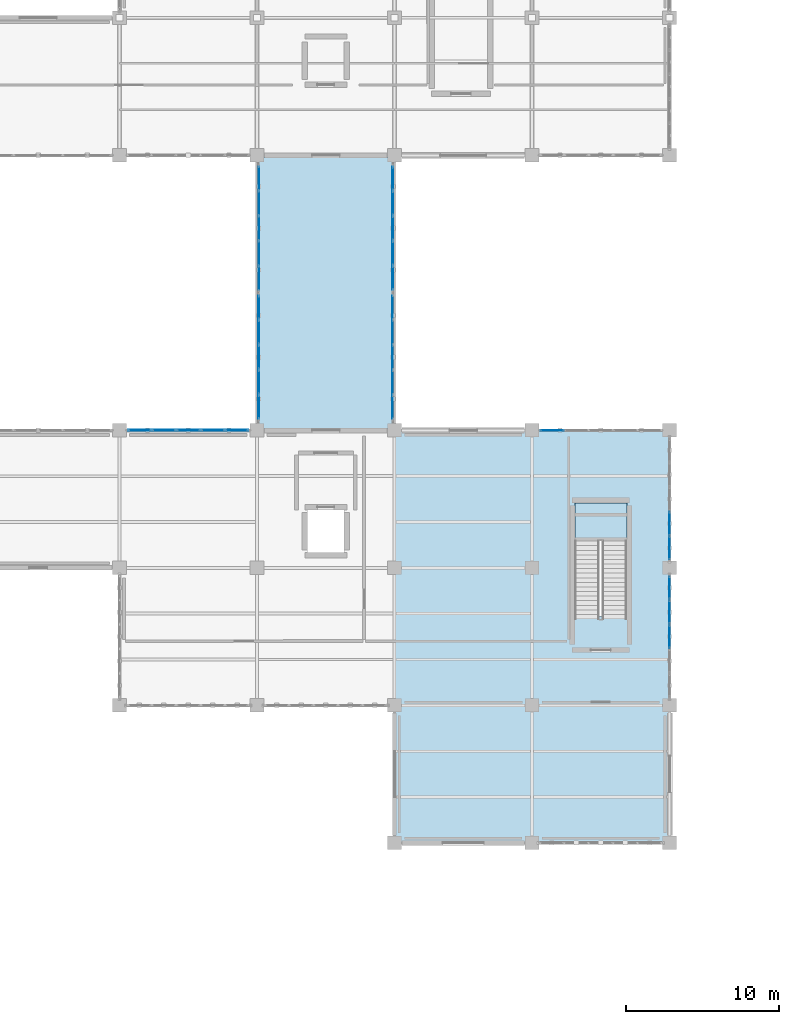
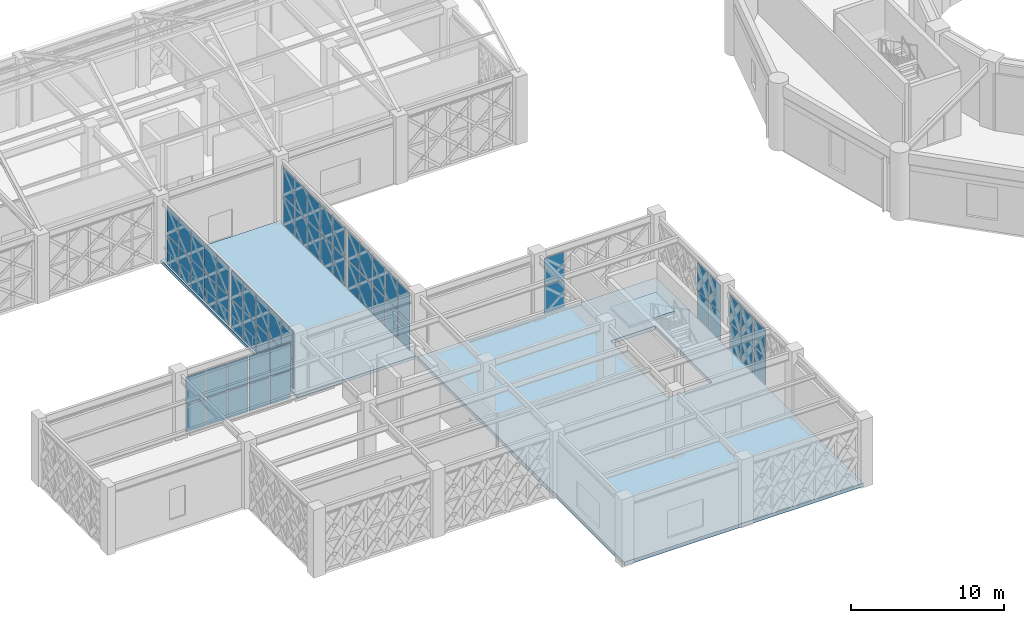
# One storey, part 125 of 166: 62 plates, 3 slabs, 9 elements without a shape of their own.
"""IFC4 building model written with IfcOpenShell, lengths in metres."""

import ifcopenshell
import ifcopenshell.guid

model = None  # the IFC model being written
_history = None  # IfcOwnerHistory: only IFC2X3 demands one
_inside = {}  # id of a spatial element -> (the spatial element, [elements in it])
_under = {}  # id of a project, library or spatial element -> (it, [spatial elements below it])
_declared = {}  # id of a project -> (the project, [libraries it declares])
_typed = {}  # id of a type object -> (the type object, [elements of that type])
_made_of = {}  # id of a material, layer set ... -> (it, [elements and type objects made of it])


def new_model(schema):
    """Start an empty IFC model of exactly this schema.

    Asked for "IFC4X3", IfcOpenShell would pick the latest addendum, in which some entities
    have other attributes; the version numbers below select the first issue.
    IFC2X3 requires an IfcOwnerHistory on every rooted entity: one is made here for all.
    """
    global model, _history
    if schema == "IFC4X3":
        model = ifcopenshell.file(schema_version=(4, 3, 0, 0))
    else:
        model = ifcopenshell.file(schema=schema)
    _inside.clear()
    _under.clear()
    _declared.clear()
    _typed.clear()
    _made_of.clear()
    _history = None
    if model.schema == "IFC2X3":
        org = make("IfcOrganization", Name="unknown")
        user = make(
            "IfcPersonAndOrganization",
            ThePerson=make("IfcPerson", FamilyName="unknown"),
            TheOrganization=org,
        )
        app = make(
            "IfcApplication",
            ApplicationDeveloper=org,
            Version="unknown",
            ApplicationFullName="unknown",
            ApplicationIdentifier="unknown",
        )
        _history = make(
            "IfcOwnerHistory",
            OwningUser=user,
            OwningApplication=app,
            ChangeAction="ADDED",
            CreationDate=0,
        )
    return model


def make(cls, **values):
    """One entity of the class cls with the attributes given. An attribute that is None is left unset."""
    return model.create_entity(
        cls, **{name: value for name, value in values.items() if value is not None}
    )


def rooted(cls, **values):
    """An entity with a GlobalId (a new one), such as an element, a storey or a relation."""
    return make(cls, GlobalId=ifcopenshell.guid.new(), OwnerHistory=_history, **values)


def si_unit(unit_type, name, prefix=None):
    """IfcSIUnit, for example si_unit("LENGTHUNIT", "METRE", prefix="MILLI")."""
    return make("IfcSIUnit", UnitType=unit_type, Prefix=prefix, Name=name)


def assignment(units):
    """IfcUnitAssignment: the units of a project."""
    return None if units is None else make("IfcUnitAssignment", Units=units)


def point(xyz):
    """IfcCartesianPoint."""
    return None if xyz is None else make("IfcCartesianPoint", Coordinates=xyz)


def direction(xyz):
    """IfcDirection."""
    return None if xyz is None else make("IfcDirection", DirectionRatios=xyz)


def frame(location, z_axis=None, x_axis=None):
    """IfcAxis2Placement3D, a coordinate frame: its origin and axes. An axis left out is left unset."""
    return make(
        "IfcAxis2Placement3D",
        Location=point(location),
        Axis=direction(z_axis),
        RefDirection=direction(x_axis),
    )


def frame_2d(location, x_axis=None):
    """IfcAxis2Placement2D, a coordinate frame in the plane: its origin and x axis."""
    return make(
        "IfcAxis2Placement2D", Location=point(location), RefDirection=direction(x_axis)
    )


def origin():
    """The frame at (0, 0, 0) with its axes left unset."""
    return frame((0.0, 0.0, 0.0))


def origin_2d():
    """The frame at (0, 0) in the plane with its x axis left unset."""
    return frame_2d((0.0, 0.0))


def place(relative_to, where):
    """IfcLocalPlacement: puts the frame where relative to a parent placement (None: the world)."""
    return make(
        "IfcLocalPlacement", PlacementRelTo=relative_to, RelativePlacement=where
    )


def context(
    kind, dimensions, precision=None, world=None, true_north=None, identifier=None
):
    """IfcGeometricRepresentationContext, for example the 3D "Model" context."""
    return make(
        "IfcGeometricRepresentationContext",
        ContextIdentifier=identifier,
        ContextType=kind,
        CoordinateSpaceDimension=dimensions,
        Precision=precision,
        WorldCoordinateSystem=world,
        TrueNorth=true_north,
    )


def subcontext(parent, identifier, kind, view, scale=None):
    """IfcGeometricRepresentationSubContext, for example "Body" below "Model"."""
    return make(
        "IfcGeometricRepresentationSubContext",
        ContextIdentifier=identifier,
        ContextType=kind,
        ParentContext=parent,
        TargetScale=scale,
        TargetView=view,
    )


def project(units=None, contexts=None):
    """IfcProject with its units and contexts."""
    return rooted(
        "IfcProject",
        Name="project",
        RepresentationContexts=contexts,
        UnitsInContext=assignment(units),
    )


def spatial(cls, under=None, at=None, **own):
    """A site, building, storey or space (cls), placed at a placement, below another one or the project."""
    s = rooted(cls, ObjectPlacement=at, **own)
    if under is not None:
        _under.setdefault(under.id(), (under, []))[1].append(s)
    return s


def polyline(points):
    """IfcPolyline through the points."""
    return make("IfcPolyline", Points=[point(p) for p in points])


def profile(cls, at=None, kind="AREA", **sizes):
    """A parametric profile (cls). Its sizes go by their IFC names, for example OverallWidth=200.0."""
    return make(cls, ProfileType=kind, Position=at, **sizes)


def rectangle(**sizes):
    """IfcRectangleProfileDef."""
    return profile("IfcRectangleProfileDef", **sizes)


def outline(outer, holes=None, kind="AREA"):
    """IfcArbitraryClosedProfileDef: a profile drawn as a closed curve; with holes, ...WithVoids."""
    if holes is None:
        return make("IfcArbitraryClosedProfileDef", ProfileType=kind, OuterCurve=outer)
    return make(
        "IfcArbitraryProfileDefWithVoids",
        ProfileType=kind,
        OuterCurve=outer,
        InnerCurves=holes,
    )


def extrude(swept, where, along, depth):
    """IfcExtrudedAreaSolid: the profile swept, set in the frame where, extruded along a direction by depth."""
    return make(
        "IfcExtrudedAreaSolid",
        SweptArea=swept,
        Position=where,
        ExtrudedDirection=direction(along),
        Depth=depth,
    )


def shape(context_of_items, identifier, shape_type, items):
    """IfcShapeRepresentation: the items that make up one representation, for example the "Body"."""
    return make(
        "IfcShapeRepresentation",
        ContextOfItems=context_of_items,
        RepresentationIdentifier=identifier,
        RepresentationType=shape_type,
        Items=items,
    )


def material(Name=None, Category=None):
    """IfcMaterial."""
    return make("IfcMaterial", Name=Name, Category=Category)


def layer(
    of_material, thickness, ventilated=None, Name=None, Category=None, Priority=None
):
    """IfcMaterialLayer: one layer of a wall or slab, of a material (None: an air gap)."""
    return make(
        "IfcMaterialLayer",
        Material=of_material,
        LayerThickness=thickness,
        IsVentilated=ventilated,
        Name=Name,
        Category=Category,
        Priority=Priority,
    )


def layer_set(layers, Name=None):
    """IfcMaterialLayerSet."""
    return make("IfcMaterialLayerSet", MaterialLayers=layers, LayerSetName=Name)


def made_of(thing, what):
    """Note that an element or type object is made of a material, layer set ...; save() writes the relation."""
    if what is not None:
        _made_of.setdefault(what.id(), (what, []))[1].append(thing)
    return thing


def type_object(cls, material=None, **own):
    """A type object (cls), such as IfcWallType, which elements share."""
    return made_of(rooted(cls, **own), material)


def element(
    cls,
    number,
    at=None,
    inside=None,
    cuts=None,
    type_object=None,
    material=None,
    context=None,
    identifier="Body",
    shape_type=None,
    held_by="IfcProductDefinitionShape",
    body=None,
    shapes=None,
    **own,
):
    """One element of the class cls, such as IfcWall. Its Tag is "e" and its number.

    at: its placement. inside: the storey or other place that contains it. cuts: it is an
    opening in that element (IfcRelVoidsElement). A single representation is given by context,
    identifier, shape_type and body (its items); several are given by shapes. held_by: the class
    of the entity that holds the representations. save() writes the other relations.
    """
    e = rooted(cls, Tag="e%d" % number, ObjectPlacement=at, **own)
    if body is not None:
        shapes = [shape(context, identifier, shape_type, body)]
    if shapes is not None:
        e.Representation = make(held_by, Representations=shapes)
    if inside is not None:
        _inside.setdefault(inside.id(), (inside, []))[1].append(e)
    if cuts is not None:
        rooted(
            "IfcRelVoidsElement", RelatingBuildingElement=cuts, RelatedOpeningElement=e
        )
    if type_object is not None:
        _typed.setdefault(type_object.id(), (type_object, []))[1].append(e)
    return made_of(e, material)


def aggregate(whole, parts):
    """IfcRelAggregates: a whole, such as a stair, and the parts it consists of."""
    return rooted("IfcRelAggregates", RelatingObject=whole, RelatedObjects=parts)


def save(model, path):
    """Write the relations noted so far, then the file.

    IfcRelAggregates (storeys below a building ...), IfcRelContainedInSpatialStructure (elements
    in a storey), IfcRelDefinesByType, IfcRelAssociatesMaterial and IfcRelDeclares: one each for
    every whole, place, type object, material and project.
    """
    for whole, parts in _under.values():
        aggregate(whole, parts)
    for where, things in _inside.values():
        rooted(
            "IfcRelContainedInSpatialStructure",
            RelatedElements=things,
            RelatingStructure=where,
        )
    for kind, things in _typed.values():
        rooted("IfcRelDefinesByType", RelatedObjects=things, RelatingType=kind)
    for what, things in _made_of.values():
        rooted("IfcRelAssociatesMaterial", RelatedObjects=things, RelatingMaterial=what)
    for by, libraries in _declared.values():
        rooted("IfcRelDeclares", RelatingContext=by, RelatedDefinitions=libraries)
    model.write(path)


model = new_model("IFC4")

# Units and contexts
model_context = context("Model", 3, precision=1e-05, world=origin(), true_north=direction((0.0, 1.0)))
body_context = subcontext(model_context, "Body", "Model", "MODEL_VIEW")
ifc_project = project(units=[si_unit("LENGTHUNIT", "METRE"), si_unit("AREAUNIT", "SQUARE_METRE"), si_unit("VOLUMEUNIT", "CUBIC_METRE"), si_unit("PLANEANGLEUNIT", "RADIAN"), si_unit("MASSUNIT", "GRAM", prefix="KILO")], contexts=[model_context])

# Site, building, storey
site_placement = place(None, origin())
site = spatial("IfcSite", under=ifc_project, at=site_placement, CompositionType="ELEMENT")
building_placement = place(site_placement, origin())
building = spatial("IfcBuilding", under=site, at=building_placement, Name="Haizhuo Lancet Aquarium", CompositionType="ELEMENT")
storey_placement = place(building_placement, frame((0.0, 0.0, 5.39990234375)))
storey = spatial("IfcBuildingStorey", under=building, at=storey_placement, Name="L01", CompositionType="ELEMENT", Elevation=5.39990234375)

# Curtain wall, plates
ifc_material_1 = material(Name="Aluminium 6063-T6", Category="aluminium")
curtain_wall_type_1 = type_object("IfcCurtainWallType", Name="CWO-8010x4540", PredefinedType="NOTDEFINED", material=ifc_material_1)
curtain_wall_1_placement = place(storey_placement, origin())
curtain_wall_1 = element("IfcCurtainWall", 1, at=curtain_wall_1_placement, inside=storey, type_object=curtain_wall_type_1, Name="L01 curtain wall CW-V6-L01-205", PredefinedType="NOTDEFINED")
ifc_material_2 = material(Name="Laminated Low-E Glass", Category="glass")
ifc_layer_1 = layer(ifc_material_2, 0.028076171875)
ifc_layer_set_1 = layer_set([ifc_layer_1], Name="Laminated Low-E Glass")
plate_type_1 = type_object("IfcPlateType", Name="CW-PNL-1", PredefinedType="CURTAIN_PANEL", material=ifc_layer_set_1)
plate_1_placement = place(storey_placement, frame((-43.68798828125, -9.0, 0.064453125), z_axis=(0.0, 0.0, 1.0), x_axis=(1.0, 0.0, 0.0)))
plate_1 = element("IfcPlate", 2, at=plate_1_placement, type_object=plate_type_1, Name="CWO-80x45 panel 1.1", PredefinedType="CURTAIN_PANEL", context=body_context, shape_type="SweptSolid", body=[
    extrude(rectangle(XDim=1.5048828125, YDim=0.028076171875, at=origin_2d()), origin(), (0.0, 0.0, 1.0), 2.173095703125),
])
plate_2_placement = place(storey_placement, frame((-43.68798828125, -9.0, 2.30322265625), z_axis=(0.0, 0.0, 1.0), x_axis=(1.0, 0.0, 0.0)))
plate_2 = element("IfcPlate", 3, at=plate_2_placement, type_object=plate_type_1, Name="CWO-80x45 panel 1.2", PredefinedType="CURTAIN_PANEL", context=body_context, shape_type="SweptSolid", body=[
    extrude(rectangle(XDim=1.5048828125, YDim=0.028076171875, at=origin_2d()), origin(), (0.0, 0.0, 1.0), 2.172119140625),
])
aggregate(curtain_wall_1, [plate_1, plate_2])

curtain_wall_type_2 = type_object("IfcCurtainWallType", Name="CWO-8200x4750", PredefinedType="NOTDEFINED", material=ifc_material_1)
curtain_wall_2_placement = place(storey_placement, origin())
curtain_wall_2 = element("IfcCurtainWall", 4, at=curtain_wall_2_placement, inside=storey, type_object=curtain_wall_type_2, Name="L01 curtain wall CW-SB-01-W2", PredefinedType="NOTDEFINED")
plate_3_placement = place(storey_placement, frame((-62.8798828125, 0.9560546875, 0.06494140625), z_axis=(0.0, 0.0, 1.0), x_axis=(0.0, 1.0, 0.0)))
plate_3 = element("IfcPlate", 5, at=plate_3_placement, type_object=plate_type_1, Name="CWO-82x47 panel 1.1", PredefinedType="CURTAIN_PANEL", context=body_context, shape_type="SweptSolid", body=[
    extrude(rectangle(XDim=1.54296875, YDim=0.028076171875, at=origin_2d()), origin(), (0.0, 0.0, 1.0), 2.278076171875),
])
plate_4_placement = place(storey_placement, frame((-62.8798828125, 0.9560546875, 2.40771484375), z_axis=(0.0, 0.0, 1.0), x_axis=(0.0, 1.0, 0.0)))
plate_4 = element("IfcPlate", 6, at=plate_4_placement, type_object=plate_type_1, Name="CWO-82x47 panel 1.2", PredefinedType="CURTAIN_PANEL", context=body_context, shape_type="SweptSolid", body=[
    extrude(rectangle(XDim=1.54296875, YDim=0.028076171875, at=origin_2d()), origin(), (0.0, 0.0, 1.0), 2.277099609375),
])
plate_5_placement = place(storey_placement, frame((-62.8798828125, 2.580078125, 0.06494140625), z_axis=(0.0, 0.0, 1.0), x_axis=(0.0, 1.0, 0.0)))
plate_5 = element("IfcPlate", 7, at=plate_5_placement, type_object=plate_type_1, Name="CWO-82x47 panel 2.1", PredefinedType="CURTAIN_PANEL", context=body_context, shape_type="SweptSolid", body=[
    extrude(rectangle(XDim=1.574951171875, YDim=0.028076171875, at=origin_2d()), origin(), (0.0, 0.0, 1.0), 2.278076171875),
])
plate_6_placement = place(storey_placement, frame((-62.8798828125, 2.580078125, 2.40771484375), z_axis=(0.0, 0.0, 1.0), x_axis=(0.0, 1.0, 0.0)))
plate_6 = element("IfcPlate", 8, at=plate_6_placement, type_object=plate_type_1, Name="CWO-82x47 panel 2.2", PredefinedType="CURTAIN_PANEL", context=body_context, shape_type="SweptSolid", body=[
    extrude(rectangle(XDim=1.574951171875, YDim=0.028076171875, at=origin_2d()), origin(), (0.0, 0.0, 1.0), 2.277099609375),
])
plate_7_placement = place(storey_placement, frame((-62.8798828125, 4.219970703125, 0.06494140625), z_axis=(0.0, 0.0, 1.0), x_axis=(0.0, 1.0, 0.0)))
plate_7 = element("IfcPlate", 9, at=plate_7_placement, type_object=plate_type_1, Name="CWO-82x47 panel 3.1", PredefinedType="CURTAIN_PANEL", context=body_context, shape_type="SweptSolid", body=[
    extrude(rectangle(XDim=1.574951171875, YDim=0.028076171875, at=origin_2d()), origin(), (0.0, 0.0, 1.0), 2.278076171875),
])
plate_8_placement = place(storey_placement, frame((-62.8798828125, 4.219970703125, 2.40771484375), z_axis=(0.0, 0.0, 1.0), x_axis=(0.0, 1.0, 0.0)))
plate_8 = element("IfcPlate", 10, at=plate_8_placement, type_object=plate_type_1, Name="CWO-82x47 panel 3.2", PredefinedType="CURTAIN_PANEL", context=body_context, shape_type="SweptSolid", body=[
    extrude(rectangle(XDim=1.574951171875, YDim=0.028076171875, at=origin_2d()), origin(), (0.0, 0.0, 1.0), 2.277099609375),
])
plate_9_placement = place(storey_placement, frame((-62.8798828125, 5.860107421875, 0.06494140625), z_axis=(0.0, 0.0, 1.0), x_axis=(0.0, 1.0, 0.0)))
plate_9 = element("IfcPlate", 11, at=plate_9_placement, type_object=plate_type_1, Name="CWO-82x47 panel 4.1", PredefinedType="CURTAIN_PANEL", context=body_context, shape_type="SweptSolid", body=[
    extrude(rectangle(XDim=1.574951171875, YDim=0.028076171875, at=origin_2d()), origin(), (0.0, 0.0, 1.0), 2.278076171875),
])
plate_10_placement = place(storey_placement, frame((-62.8798828125, 5.860107421875, 2.40771484375), z_axis=(0.0, 0.0, 1.0), x_axis=(0.0, 1.0, 0.0)))
plate_10 = element("IfcPlate", 12, at=plate_10_placement, type_object=plate_type_1, Name="CWO-82x47 panel 4.2", PredefinedType="CURTAIN_PANEL", context=body_context, shape_type="SweptSolid", body=[
    extrude(rectangle(XDim=1.574951171875, YDim=0.028076171875, at=origin_2d()), origin(), (0.0, 0.0, 1.0), 2.277099609375),
])
plate_11_placement = place(storey_placement, frame((-62.8798828125, 7.48388671875, 0.06494140625), z_axis=(0.0, 0.0, 1.0), x_axis=(0.0, 1.0, 0.0)))
plate_11 = element("IfcPlate", 13, at=plate_11_placement, type_object=plate_type_1, Name="CWO-82x47 panel 5.1", PredefinedType="CURTAIN_PANEL", context=body_context, shape_type="SweptSolid", body=[
    extrude(rectangle(XDim=1.5419921875, YDim=0.028076171875, at=origin_2d()), origin(), (0.0, 0.0, 1.0), 2.278076171875),
])
plate_12_placement = place(storey_placement, frame((-62.8798828125, 7.48388671875, 2.40771484375), z_axis=(0.0, 0.0, 1.0), x_axis=(0.0, 1.0, 0.0)))
plate_12 = element("IfcPlate", 14, at=plate_12_placement, type_object=plate_type_1, Name="CWO-82x47 panel 5.2", PredefinedType="CURTAIN_PANEL", context=body_context, shape_type="SweptSolid", body=[
    extrude(rectangle(XDim=1.5419921875, YDim=0.028076171875, at=origin_2d()), origin(), (0.0, 0.0, 1.0), 2.277099609375),
])
aggregate(curtain_wall_2, [plate_3, plate_4, plate_5, plate_6, plate_7, plate_8, plate_9, plate_10, plate_11, plate_12])

curtain_wall_type_3 = type_object("IfcCurtainWallType", Name="CWD-8010x4540", PredefinedType="NOTDEFINED", material=ifc_material_1)
curtain_wall_3_placement = place(storey_placement, origin())
curtain_wall_3 = element("IfcCurtainWall", 15, at=curtain_wall_3_placement, inside=storey, type_object=curtain_wall_type_3, Name="L01 curtain wall CW-V6-L01-206", PredefinedType="NOTDEFINED")
ifc_layer_2 = layer(ifc_material_2, 0.033935546875)
ifc_layer_set_2 = layer_set([ifc_layer_2], Name="Laminated Low-E Glass")
plate_type_2 = type_object("IfcPlateType", Name="CW-PNL-2", PredefinedType="CURTAIN_PANEL", material=ifc_layer_set_2)
plate_13_placement = place(storey_placement, frame((-36.0, -15.10205078125, 0.0751953125), z_axis=(0.0, 0.0, 1.0), x_axis=(0.0, -1.0, 0.0)))
plate_13 = element("IfcPlate", 16, at=plate_13_placement, type_object=plate_type_2, Name="CWD-80x45 panel 4.1", PredefinedType="CURTAIN_PANEL", context=body_context, shape_type="SweptSolid", body=[
    extrude(rectangle(XDim=1.527099609375, YDim=0.033935546875, at=origin_2d()), origin(), (0.0, 0.0, 1.0), 2.157958984375),
])
plate_14_placement = place(storey_placement, frame((-36.0, -15.10205078125, 2.30712890625), z_axis=(0.0, 0.0, 1.0), x_axis=(0.0, -1.0, 0.0)))
plate_14 = element("IfcPlate", 17, at=plate_14_placement, type_object=plate_type_2, Name="CWD-80x45 panel 4.2", PredefinedType="CURTAIN_PANEL", context=body_context, shape_type="SweptSolid", body=[
    extrude(rectangle(XDim=1.527099609375, YDim=0.033935546875, at=origin_2d()), origin(), (0.0, 0.0, 1.0), 2.157958984375),
])
plate_15_placement = place(storey_placement, frame((-36.0, -16.68505859375, 0.0751953125), z_axis=(0.0, 0.0, 1.0), x_axis=(0.0, -1.0, 0.0)))
plate_15 = element("IfcPlate", 18, at=plate_15_placement, type_object=plate_type_2, Name="CWD-80x45 panel 5.1", PredefinedType="CURTAIN_PANEL", context=body_context, shape_type="SweptSolid", body=[
    extrude(rectangle(XDim=1.489990234375, YDim=0.033935546875, at=origin_2d()), origin(), (0.0, 0.0, 1.0), 2.157958984375),
])
plate_16_placement = place(storey_placement, frame((-36.0, -16.68505859375, 2.30712890625), z_axis=(0.0, 0.0, 1.0), x_axis=(0.0, -1.0, 0.0)))
plate_16 = element("IfcPlate", 19, at=plate_16_placement, type_object=plate_type_2, Name="CWD-80x45 panel 5.2", PredefinedType="CURTAIN_PANEL", context=body_context, shape_type="SweptSolid", body=[
    extrude(rectangle(XDim=1.489990234375, YDim=0.033935546875, at=origin_2d()), origin(), (0.0, 0.0, 1.0), 2.157958984375),
])
aggregate(curtain_wall_3, [plate_13, plate_14, plate_15, plate_16])

curtain_wall_4_placement = place(storey_placement, origin())
curtain_wall_4 = element("IfcCurtainWall", 20, at=curtain_wall_4_placement, inside=storey, type_object=curtain_wall_type_2, Name="L01 curtain wall CW-SB-01-E1", PredefinedType="NOTDEFINED")
plate_17_placement = place(storey_placement, frame((-54.1201171875, -0.958984375, 0.07470703125), z_axis=(0.0, 0.0, 1.0), x_axis=(0.0, -1.0, 0.0)))
plate_17 = element("IfcPlate", 21, at=plate_17_placement, type_object=plate_type_2, Name="CWO-82x47 panel 1.1", PredefinedType="CURTAIN_PANEL", context=body_context, shape_type="SweptSolid", body=[
    extrude(rectangle(XDim=1.528076171875, YDim=0.033935546875, at=origin_2d()), origin(), (0.0, 0.0, 1.0), 2.262939453125),
])
plate_18_placement = place(storey_placement, frame((-54.1201171875, -0.958984375, 2.41259765625), z_axis=(0.0, 0.0, 1.0), x_axis=(0.0, -1.0, 0.0)))
plate_18 = element("IfcPlate", 22, at=plate_18_placement, type_object=plate_type_2, Name="CWO-82x47 panel 1.2", PredefinedType="CURTAIN_PANEL", context=body_context, shape_type="SweptSolid", body=[
    extrude(rectangle(XDim=1.528076171875, YDim=0.033935546875, at=origin_2d()), origin(), (0.0, 0.0, 1.0), 2.262939453125),
])
plate_19_placement = place(storey_placement, frame((-54.1201171875, -2.580078125, 0.07470703125), z_axis=(0.0, 0.0, 1.0), x_axis=(0.0, -1.0, 0.0)))
plate_19 = element("IfcPlate", 23, at=plate_19_placement, type_object=plate_type_2, Name="CWO-82x47 panel 2.1", PredefinedType="CURTAIN_PANEL", context=body_context, shape_type="SweptSolid", body=[
    extrude(rectangle(XDim=1.56494140625, YDim=0.033935546875, at=origin_2d()), origin(), (0.0, 0.0, 1.0), 2.262939453125),
])
plate_20_placement = place(storey_placement, frame((-54.1201171875, -2.580078125, 2.41259765625), z_axis=(0.0, 0.0, 1.0), x_axis=(0.0, -1.0, 0.0)))
plate_20 = element("IfcPlate", 24, at=plate_20_placement, type_object=plate_type_2, Name="CWO-82x47 panel 2.2", PredefinedType="CURTAIN_PANEL", context=body_context, shape_type="SweptSolid", body=[
    extrude(rectangle(XDim=1.56494140625, YDim=0.033935546875, at=origin_2d()), origin(), (0.0, 0.0, 1.0), 2.262939453125),
])
plate_21_placement = place(storey_placement, frame((-54.1201171875, -4.219970703125, 0.07470703125), z_axis=(0.0, 0.0, 1.0), x_axis=(0.0, -1.0, 0.0)))
plate_21 = element("IfcPlate", 25, at=plate_21_placement, type_object=plate_type_2, Name="CWO-82x47 panel 3.1", PredefinedType="CURTAIN_PANEL", context=body_context, shape_type="SweptSolid", body=[
    extrude(rectangle(XDim=1.56494140625, YDim=0.033935546875, at=origin_2d()), origin(), (0.0, 0.0, 1.0), 2.262939453125),
])
plate_22_placement = place(storey_placement, frame((-54.1201171875, -4.219970703125, 2.41259765625), z_axis=(0.0, 0.0, 1.0), x_axis=(0.0, -1.0, 0.0)))
plate_22 = element("IfcPlate", 26, at=plate_22_placement, type_object=plate_type_2, Name="CWO-82x47 panel 3.2", PredefinedType="CURTAIN_PANEL", context=body_context, shape_type="SweptSolid", body=[
    extrude(rectangle(XDim=1.56494140625, YDim=0.033935546875, at=origin_2d()), origin(), (0.0, 0.0, 1.0), 2.262939453125),
])
plate_23_placement = place(storey_placement, frame((-54.1201171875, -5.860107421875, 0.07470703125), z_axis=(0.0, 0.0, 1.0), x_axis=(0.0, -1.0, 0.0)))
plate_23 = element("IfcPlate", 27, at=plate_23_placement, type_object=plate_type_2, Name="CWO-82x47 panel 4.1", PredefinedType="CURTAIN_PANEL", context=body_context, shape_type="SweptSolid", body=[
    extrude(rectangle(XDim=1.56494140625, YDim=0.033935546875, at=origin_2d()), origin(), (0.0, 0.0, 1.0), 2.262939453125),
])
plate_24_placement = place(storey_placement, frame((-54.1201171875, -5.860107421875, 2.41259765625), z_axis=(0.0, 0.0, 1.0), x_axis=(0.0, -1.0, 0.0)))
plate_24 = element("IfcPlate", 28, at=plate_24_placement, type_object=plate_type_2, Name="CWO-82x47 panel 4.2", PredefinedType="CURTAIN_PANEL", context=body_context, shape_type="SweptSolid", body=[
    extrude(rectangle(XDim=1.56494140625, YDim=0.033935546875, at=origin_2d()), origin(), (0.0, 0.0, 1.0), 2.262939453125),
])
plate_25_placement = place(storey_placement, frame((-54.1201171875, -7.48095703125, 0.07470703125), z_axis=(0.0, 0.0, 1.0), x_axis=(0.0, -1.0, 0.0)))
plate_25 = element("IfcPlate", 29, at=plate_25_placement, type_object=plate_type_2, Name="CWO-82x47 panel 5.1", PredefinedType="CURTAIN_PANEL", context=body_context, shape_type="SweptSolid", body=[
    extrude(rectangle(XDim=1.528076171875, YDim=0.033935546875, at=origin_2d()), origin(), (0.0, 0.0, 1.0), 2.262939453125),
])
plate_26_placement = place(storey_placement, frame((-54.1201171875, -7.48095703125, 2.41259765625), z_axis=(0.0, 0.0, 1.0), x_axis=(0.0, -1.0, 0.0)))
plate_26 = element("IfcPlate", 30, at=plate_26_placement, type_object=plate_type_2, Name="CWO-82x47 panel 5.2", PredefinedType="CURTAIN_PANEL", context=body_context, shape_type="SweptSolid", body=[
    extrude(rectangle(XDim=1.528076171875, YDim=0.033935546875, at=origin_2d()), origin(), (0.0, 0.0, 1.0), 2.262939453125),
])
aggregate(curtain_wall_4, [plate_17, plate_18, plate_19, plate_20, plate_21, plate_22, plate_23, plate_24, plate_25, plate_26])

curtain_wall_5_placement = place(storey_placement, origin())
curtain_wall_5 = element("IfcCurtainWall", 31, at=curtain_wall_5_placement, inside=storey, type_object=curtain_wall_type_3, Name="L01 curtain wall CW-V6-L01-207", PredefinedType="NOTDEFINED")
ifc_layer_3 = layer(ifc_material_2, 0.0419921875)
ifc_layer_set_3 = layer_set([ifc_layer_3], Name="Laminated Low-E Glass")
plate_type_3 = type_object("IfcPlateType", Name="CW-PNL-3", PredefinedType="CURTAIN_PANEL", material=ifc_layer_set_3)
plate_27_placement = place(storey_placement, frame((-36.0, -19.31591796875, 0.080078125), z_axis=(0.0, 0.0, 1.0), x_axis=(0.0, -1.0, 0.0)))
plate_27 = element("IfcPlate", 32, at=plate_27_placement, type_object=plate_type_3, Name="CWD-80x45 panel 1.1", PredefinedType="CURTAIN_PANEL", context=body_context, shape_type="SweptSolid", body=[
    extrude(rectangle(XDim=1.48193359375, YDim=0.0419921875, at=origin_2d()), origin(), (0.0, 0.0, 1.0), 2.14990234375),
])
plate_28_placement = place(storey_placement, frame((-36.0, -19.31591796875, 2.31005859375), z_axis=(0.0, 0.0, 1.0), x_axis=(0.0, -1.0, 0.0)))
plate_28 = element("IfcPlate", 33, at=plate_28_placement, type_object=plate_type_3, Name="CWD-80x45 panel 1.2", PredefinedType="CURTAIN_PANEL", context=body_context, shape_type="SweptSolid", body=[
    extrude(rectangle(XDim=1.48193359375, YDim=0.0419921875, at=origin_2d()), origin(), (0.0, 0.0, 1.0), 2.14990234375),
])
plate_29_placement = place(storey_placement, frame((-36.0, -20.89794921875, 0.080078125), z_axis=(0.0, 0.0, 1.0), x_axis=(0.0, -1.0, 0.0)))
plate_29 = element("IfcPlate", 34, at=plate_29_placement, type_object=plate_type_3, Name="CWD-80x45 panel 2.1", PredefinedType="CURTAIN_PANEL", context=body_context, shape_type="SweptSolid", body=[
    extrude(rectangle(XDim=1.52197265625, YDim=0.0419921875, at=origin_2d()), origin(), (0.0, 0.0, 1.0), 2.14990234375),
])
plate_30_placement = place(storey_placement, frame((-36.0, -20.89794921875, 2.31005859375), z_axis=(0.0, 0.0, 1.0), x_axis=(0.0, -1.0, 0.0)))
plate_30 = element("IfcPlate", 35, at=plate_30_placement, type_object=plate_type_3, Name="CWD-80x45 panel 2.2", PredefinedType="CURTAIN_PANEL", context=body_context, shape_type="SweptSolid", body=[
    extrude(rectangle(XDim=1.52197265625, YDim=0.0419921875, at=origin_2d()), origin(), (0.0, 0.0, 1.0), 2.14990234375),
])
plate_31_placement = place(storey_placement, frame((-36.0, -22.5, 0.080078125), z_axis=(0.0, 0.0, 1.0), x_axis=(0.0, -1.0, 0.0)))
plate_31 = element("IfcPlate", 36, at=plate_31_placement, type_object=plate_type_3, Name="CWD-80x45 panel 3.1", PredefinedType="CURTAIN_PANEL", context=body_context, shape_type="SweptSolid", body=[
    extrude(rectangle(XDim=1.52197265625, YDim=0.0419921875, at=origin_2d()), origin(), (0.0, 0.0, 1.0), 2.14990234375),
])
plate_32_placement = place(storey_placement, frame((-36.0, -22.5, 2.31005859375), z_axis=(0.0, 0.0, 1.0), x_axis=(0.0, -1.0, 0.0)))
plate_32 = element("IfcPlate", 37, at=plate_32_placement, type_object=plate_type_3, Name="CWD-80x45 panel 3.2", PredefinedType="CURTAIN_PANEL", context=body_context, shape_type="SweptSolid", body=[
    extrude(rectangle(XDim=1.52197265625, YDim=0.0419921875, at=origin_2d()), origin(), (0.0, 0.0, 1.0), 2.14990234375),
])
aggregate(curtain_wall_5, [plate_27, plate_28, plate_29, plate_30, plate_31, plate_32])

curtain_wall_6_placement = place(storey_placement, origin())
curtain_wall_6 = element("IfcCurtainWall", 38, at=curtain_wall_6_placement, inside=storey, type_object=curtain_wall_type_2, Name="L01 curtain wall CW-SB-01-E2", PredefinedType="NOTDEFINED")
plate_33_placement = place(storey_placement, frame((-54.1201171875, 7.47998046875, 0.07958984375), z_axis=(0.0, 0.0, 1.0), x_axis=(0.0, -1.0, 0.0)))
plate_33 = element("IfcPlate", 39, at=plate_33_placement, type_object=plate_type_3, Name="CWO-82x47 panel 1.1", PredefinedType="CURTAIN_PANEL", context=body_context, shape_type="SweptSolid", body=[
    extrude(rectangle(XDim=1.52001953125, YDim=0.0419921875, at=origin_2d()), origin(), (0.0, 0.0, 1.0), 2.2548828125),
])
plate_34_placement = place(storey_placement, frame((-54.1201171875, 7.47998046875, 2.415771484375), z_axis=(0.0, 0.0, 1.0), x_axis=(0.0, -1.0, 0.0)))
plate_34 = element("IfcPlate", 40, at=plate_34_placement, type_object=plate_type_3, Name="CWO-82x47 panel 1.2", PredefinedType="CURTAIN_PANEL", context=body_context, shape_type="SweptSolid", body=[
    extrude(rectangle(XDim=1.52001953125, YDim=0.0419921875, at=origin_2d()), origin(), (0.0, 0.0, 1.0), 2.2548828125),
])
plate_35_placement = place(storey_placement, frame((-54.1201171875, 5.860107421875, 0.07958984375), z_axis=(0.0, 0.0, 1.0), x_axis=(0.0, -1.0, 0.0)))
plate_35 = element("IfcPlate", 41, at=plate_35_placement, type_object=plate_type_3, Name="CWO-82x47 panel 2.1", PredefinedType="CURTAIN_PANEL", context=body_context, shape_type="SweptSolid", body=[
    extrude(rectangle(XDim=1.56005859375, YDim=0.0419921875, at=origin_2d()), origin(), (0.0, 0.0, 1.0), 2.2548828125),
])
plate_36_placement = place(storey_placement, frame((-54.1201171875, 5.860107421875, 2.415771484375), z_axis=(0.0, 0.0, 1.0), x_axis=(0.0, -1.0, 0.0)))
plate_36 = element("IfcPlate", 42, at=plate_36_placement, type_object=plate_type_3, Name="CWO-82x47 panel 2.2", PredefinedType="CURTAIN_PANEL", context=body_context, shape_type="SweptSolid", body=[
    extrude(rectangle(XDim=1.56005859375, YDim=0.0419921875, at=origin_2d()), origin(), (0.0, 0.0, 1.0), 2.2548828125),
])
plate_37_placement = place(storey_placement, frame((-54.1201171875, 4.219970703125, 0.07958984375), z_axis=(0.0, 0.0, 1.0), x_axis=(0.0, -1.0, 0.0)))
plate_37 = element("IfcPlate", 43, at=plate_37_placement, type_object=plate_type_3, Name="CWO-82x47 panel 3.1", PredefinedType="CURTAIN_PANEL", context=body_context, shape_type="SweptSolid", body=[
    extrude(rectangle(XDim=1.56005859375, YDim=0.0419921875, at=origin_2d()), origin(), (0.0, 0.0, 1.0), 2.2548828125),
])
plate_38_placement = place(storey_placement, frame((-54.1201171875, 4.219970703125, 2.415771484375), z_axis=(0.0, 0.0, 1.0), x_axis=(0.0, -1.0, 0.0)))
plate_38 = element("IfcPlate", 44, at=plate_38_placement, type_object=plate_type_3, Name="CWO-82x47 panel 3.2", PredefinedType="CURTAIN_PANEL", context=body_context, shape_type="SweptSolid", body=[
    extrude(rectangle(XDim=1.56005859375, YDim=0.0419921875, at=origin_2d()), origin(), (0.0, 0.0, 1.0), 2.2548828125),
])
plate_39_placement = place(storey_placement, frame((-54.1201171875, 2.580078125, 0.07958984375), z_axis=(0.0, 0.0, 1.0), x_axis=(0.0, -1.0, 0.0)))
plate_39 = element("IfcPlate", 45, at=plate_39_placement, type_object=plate_type_3, Name="CWO-82x47 panel 4.1", PredefinedType="CURTAIN_PANEL", context=body_context, shape_type="SweptSolid", body=[
    extrude(rectangle(XDim=1.56005859375, YDim=0.0419921875, at=origin_2d()), origin(), (0.0, 0.0, 1.0), 2.2548828125),
])
plate_40_placement = place(storey_placement, frame((-54.1201171875, 2.580078125, 2.415771484375), z_axis=(0.0, 0.0, 1.0), x_axis=(0.0, -1.0, 0.0)))
plate_40 = element("IfcPlate", 46, at=plate_40_placement, type_object=plate_type_3, Name="CWO-82x47 panel 4.2", PredefinedType="CURTAIN_PANEL", context=body_context, shape_type="SweptSolid", body=[
    extrude(rectangle(XDim=1.56005859375, YDim=0.0419921875, at=origin_2d()), origin(), (0.0, 0.0, 1.0), 2.2548828125),
])
plate_41_placement = place(storey_placement, frame((-54.1201171875, 0.9599609375, 0.07958984375), z_axis=(0.0, 0.0, 1.0), x_axis=(0.0, -1.0, 0.0)))
plate_41 = element("IfcPlate", 47, at=plate_41_placement, type_object=plate_type_3, Name="CWO-82x47 panel 5.1", PredefinedType="CURTAIN_PANEL", context=body_context, shape_type="SweptSolid", body=[
    extrude(rectangle(XDim=1.52001953125, YDim=0.0419921875, at=origin_2d()), origin(), (0.0, 0.0, 1.0), 2.2548828125),
])
plate_42_placement = place(storey_placement, frame((-54.1201171875, 0.9599609375, 2.415771484375), z_axis=(0.0, 0.0, 1.0), x_axis=(0.0, -1.0, 0.0)))
plate_42 = element("IfcPlate", 48, at=plate_42_placement, type_object=plate_type_3, Name="CWO-82x47 panel 5.2", PredefinedType="CURTAIN_PANEL", context=body_context, shape_type="SweptSolid", body=[
    extrude(rectangle(XDim=1.52001953125, YDim=0.0419921875, at=origin_2d()), origin(), (0.0, 0.0, 1.0), 2.2548828125),
])
aggregate(curtain_wall_6, [plate_33, plate_34, plate_35, plate_36, plate_37, plate_38, plate_39, plate_40, plate_41, plate_42])

curtain_wall_7_placement = place(storey_placement, origin())
curtain_wall_7 = element("IfcCurtainWall", 49, at=curtain_wall_7_placement, inside=storey, type_object=curtain_wall_type_1, Name="L01 curtain wall CW-V6-L01-204", PredefinedType="NOTDEFINED")
ifc_layer_4 = layer(ifc_material_2, 0.052001953125)
ifc_layer_set_4 = layer_set([ifc_layer_4], Name="Laminated Low-E Glass")
plate_type_4 = type_object("IfcPlateType", Name="CW-PNL-4", PredefinedType="CURTAIN_PANEL", material=ifc_layer_set_4)
plate_43_placement = place(storey_placement, frame((-70.68408203125, -9.0, 0.080078125), z_axis=(0.0, 0.0, 1.0), x_axis=(1.0, 0.0, 0.0)))
plate_43 = element("IfcPlate", 50, at=plate_43_placement, type_object=plate_type_4, Name="CWO-80x45 panel 1.1", PredefinedType="CURTAIN_PANEL", context=body_context, shape_type="SweptSolid", body=[
    extrude(rectangle(XDim=1.48193359375, YDim=0.052001953125, at=origin_2d()), origin(), (0.0, 0.0, 1.0), 2.14990234375),
])
plate_44_placement = place(storey_placement, frame((-70.68408203125, -9.0, 2.31005859375), z_axis=(0.0, 0.0, 1.0), x_axis=(1.0, 0.0, 0.0)))
plate_44 = element("IfcPlate", 51, at=plate_44_placement, type_object=plate_type_4, Name="CWO-80x45 panel 1.2", PredefinedType="CURTAIN_PANEL", context=body_context, shape_type="SweptSolid", body=[
    extrude(rectangle(XDim=1.48193359375, YDim=0.052001953125, at=origin_2d()), origin(), (0.0, 0.0, 1.0), 2.14990234375),
])
plate_45_placement = place(storey_placement, frame((-69.10205078125, -9.0, 0.080078125), z_axis=(0.0, 0.0, 1.0), x_axis=(1.0, 0.0, 0.0)))
plate_45 = element("IfcPlate", 52, at=plate_45_placement, type_object=plate_type_4, Name="CWO-80x45 panel 2.1", PredefinedType="CURTAIN_PANEL", context=body_context, shape_type="SweptSolid", body=[
    extrude(rectangle(XDim=1.52197265625, YDim=0.052001953125, at=origin_2d()), origin(), (0.0, 0.0, 1.0), 2.14990234375),
])
plate_46_placement = place(storey_placement, frame((-69.10205078125, -9.0, 2.31005859375), z_axis=(0.0, 0.0, 1.0), x_axis=(1.0, 0.0, 0.0)))
plate_46 = element("IfcPlate", 53, at=plate_46_placement, type_object=plate_type_4, Name="CWO-80x45 panel 2.2", PredefinedType="CURTAIN_PANEL", context=body_context, shape_type="SweptSolid", body=[
    extrude(rectangle(XDim=1.52197265625, YDim=0.052001953125, at=origin_2d()), origin(), (0.0, 0.0, 1.0), 2.14990234375),
])
plate_47_placement = place(storey_placement, frame((-67.5, -9.0, 0.080078125), z_axis=(0.0, 0.0, 1.0), x_axis=(1.0, 0.0, 0.0)))
plate_47 = element("IfcPlate", 54, at=plate_47_placement, type_object=plate_type_4, Name="CWO-80x45 panel 3.1", PredefinedType="CURTAIN_PANEL", context=body_context, shape_type="SweptSolid", body=[
    extrude(rectangle(XDim=1.52197265625, YDim=0.052001953125, at=origin_2d()), origin(), (0.0, 0.0, 1.0), 2.14990234375),
])
plate_48_placement = place(storey_placement, frame((-67.5, -9.0, 2.31005859375), z_axis=(0.0, 0.0, 1.0), x_axis=(1.0, 0.0, 0.0)))
plate_48 = element("IfcPlate", 55, at=plate_48_placement, type_object=plate_type_4, Name="CWO-80x45 panel 3.2", PredefinedType="CURTAIN_PANEL", context=body_context, shape_type="SweptSolid", body=[
    extrude(rectangle(XDim=1.52197265625, YDim=0.052001953125, at=origin_2d()), origin(), (0.0, 0.0, 1.0), 2.14990234375),
])
plate_49_placement = place(storey_placement, frame((-65.89794921875, -9.0, 0.080078125), z_axis=(0.0, 0.0, 1.0), x_axis=(1.0, 0.0, 0.0)))
plate_49 = element("IfcPlate", 56, at=plate_49_placement, type_object=plate_type_4, Name="CWO-80x45 panel 4.1", PredefinedType="CURTAIN_PANEL", context=body_context, shape_type="SweptSolid", body=[
    extrude(rectangle(XDim=1.52197265625, YDim=0.052001953125, at=origin_2d()), origin(), (0.0, 0.0, 1.0), 2.14990234375),
])
plate_50_placement = place(storey_placement, frame((-65.89794921875, -9.0, 2.31005859375), z_axis=(0.0, 0.0, 1.0), x_axis=(1.0, 0.0, 0.0)))
plate_50 = element("IfcPlate", 57, at=plate_50_placement, type_object=plate_type_4, Name="CWO-80x45 panel 4.2", PredefinedType="CURTAIN_PANEL", context=body_context, shape_type="SweptSolid", body=[
    extrude(rectangle(XDim=1.52197265625, YDim=0.052001953125, at=origin_2d()), origin(), (0.0, 0.0, 1.0), 2.14990234375),
])
plate_51_placement = place(storey_placement, frame((-64.31591796875, -9.0, 0.080078125), z_axis=(0.0, 0.0, 1.0), x_axis=(1.0, 0.0, 0.0)))
plate_51 = element("IfcPlate", 58, at=plate_51_placement, type_object=plate_type_4, Name="CWO-80x45 panel 5.1", PredefinedType="CURTAIN_PANEL", context=body_context, shape_type="SweptSolid", body=[
    extrude(rectangle(XDim=1.48193359375, YDim=0.052001953125, at=origin_2d()), origin(), (0.0, 0.0, 1.0), 2.14990234375),
])
plate_52_placement = place(storey_placement, frame((-64.31591796875, -9.0, 2.31005859375), z_axis=(0.0, 0.0, 1.0), x_axis=(1.0, 0.0, 0.0)))
plate_52 = element("IfcPlate", 59, at=plate_52_placement, type_object=plate_type_4, Name="CWO-80x45 panel 5.2", PredefinedType="CURTAIN_PANEL", context=body_context, shape_type="SweptSolid", body=[
    extrude(rectangle(XDim=1.48193359375, YDim=0.052001953125, at=origin_2d()), origin(), (0.0, 0.0, 1.0), 2.14990234375),
])
aggregate(curtain_wall_7, [plate_43, plate_44, plate_45, plate_46, plate_47, plate_48, plate_49, plate_50, plate_51, plate_52])

curtain_wall_8_placement = place(storey_placement, origin())
curtain_wall_8 = element("IfcCurtainWall", 60, at=curtain_wall_8_placement, inside=storey, type_object=curtain_wall_type_2, Name="L01 curtain wall CW-SB-01-W1", PredefinedType="NOTDEFINED")
plate_53_placement = place(storey_placement, frame((-62.8798828125, -7.47998046875, 0.07958984375), z_axis=(0.0, 0.0, 1.0), x_axis=(0.0, 1.0, 0.0)))
plate_53 = element("IfcPlate", 61, at=plate_53_placement, type_object=plate_type_4, Name="CWO-82x47 panel 1.1", PredefinedType="CURTAIN_PANEL", context=body_context, shape_type="SweptSolid", body=[
    extrude(rectangle(XDim=1.52001953125, YDim=0.052001953125, at=origin_2d()), origin(), (0.0, 0.0, 1.0), 2.2548828125),
])
plate_54_placement = place(storey_placement, frame((-62.8798828125, -7.47998046875, 2.415771484375), z_axis=(0.0, 0.0, 1.0), x_axis=(0.0, 1.0, 0.0)))
plate_54 = element("IfcPlate", 62, at=plate_54_placement, type_object=plate_type_4, Name="CWO-82x47 panel 1.2", PredefinedType="CURTAIN_PANEL", context=body_context, shape_type="SweptSolid", body=[
    extrude(rectangle(XDim=1.52001953125, YDim=0.052001953125, at=origin_2d()), origin(), (0.0, 0.0, 1.0), 2.2548828125),
])
plate_55_placement = place(storey_placement, frame((-62.8798828125, -5.860107421875, 0.07958984375), z_axis=(0.0, 0.0, 1.0), x_axis=(0.0, 1.0, 0.0)))
plate_55 = element("IfcPlate", 63, at=plate_55_placement, type_object=plate_type_4, Name="CWO-82x47 panel 2.1", PredefinedType="CURTAIN_PANEL", context=body_context, shape_type="SweptSolid", body=[
    extrude(rectangle(XDim=1.56005859375, YDim=0.052001953125, at=origin_2d()), origin(), (0.0, 0.0, 1.0), 2.2548828125),
])
plate_56_placement = place(storey_placement, frame((-62.8798828125, -5.860107421875, 2.415771484375), z_axis=(0.0, 0.0, 1.0), x_axis=(0.0, 1.0, 0.0)))
plate_56 = element("IfcPlate", 64, at=plate_56_placement, type_object=plate_type_4, Name="CWO-82x47 panel 2.2", PredefinedType="CURTAIN_PANEL", context=body_context, shape_type="SweptSolid", body=[
    extrude(rectangle(XDim=1.56005859375, YDim=0.052001953125, at=origin_2d()), origin(), (0.0, 0.0, 1.0), 2.2548828125),
])
plate_57_placement = place(storey_placement, frame((-62.8798828125, -4.219970703125, 0.07958984375), z_axis=(0.0, 0.0, 1.0), x_axis=(0.0, 1.0, 0.0)))
plate_57 = element("IfcPlate", 65, at=plate_57_placement, type_object=plate_type_4, Name="CWO-82x47 panel 3.1", PredefinedType="CURTAIN_PANEL", context=body_context, shape_type="SweptSolid", body=[
    extrude(rectangle(XDim=1.56005859375, YDim=0.052001953125, at=origin_2d()), origin(), (0.0, 0.0, 1.0), 2.2548828125),
])
plate_58_placement = place(storey_placement, frame((-62.8798828125, -4.219970703125, 2.415771484375), z_axis=(0.0, 0.0, 1.0), x_axis=(0.0, 1.0, 0.0)))
plate_58 = element("IfcPlate", 66, at=plate_58_placement, type_object=plate_type_4, Name="CWO-82x47 panel 3.2", PredefinedType="CURTAIN_PANEL", context=body_context, shape_type="SweptSolid", body=[
    extrude(rectangle(XDim=1.56005859375, YDim=0.052001953125, at=origin_2d()), origin(), (0.0, 0.0, 1.0), 2.2548828125),
])
plate_59_placement = place(storey_placement, frame((-62.8798828125, -2.580078125, 0.07958984375), z_axis=(0.0, 0.0, 1.0), x_axis=(0.0, 1.0, 0.0)))
plate_59 = element("IfcPlate", 67, at=plate_59_placement, type_object=plate_type_4, Name="CWO-82x47 panel 4.1", PredefinedType="CURTAIN_PANEL", context=body_context, shape_type="SweptSolid", body=[
    extrude(rectangle(XDim=1.56005859375, YDim=0.052001953125, at=origin_2d()), origin(), (0.0, 0.0, 1.0), 2.2548828125),
])
plate_60_placement = place(storey_placement, frame((-62.8798828125, -2.580078125, 2.415771484375), z_axis=(0.0, 0.0, 1.0), x_axis=(0.0, 1.0, 0.0)))
plate_60 = element("IfcPlate", 68, at=plate_60_placement, type_object=plate_type_4, Name="CWO-82x47 panel 4.2", PredefinedType="CURTAIN_PANEL", context=body_context, shape_type="SweptSolid", body=[
    extrude(rectangle(XDim=1.56005859375, YDim=0.052001953125, at=origin_2d()), origin(), (0.0, 0.0, 1.0), 2.2548828125),
])
plate_61_placement = place(storey_placement, frame((-62.8798828125, -0.9599609375, 0.07958984375), z_axis=(0.0, 0.0, 1.0), x_axis=(0.0, 1.0, 0.0)))
plate_61 = element("IfcPlate", 69, at=plate_61_placement, type_object=plate_type_4, Name="CWO-82x47 panel 5.1", PredefinedType="CURTAIN_PANEL", context=body_context, shape_type="SweptSolid", body=[
    extrude(rectangle(XDim=1.52001953125, YDim=0.052001953125, at=origin_2d()), origin(), (0.0, 0.0, 1.0), 2.2548828125),
])
plate_62_placement = place(storey_placement, frame((-62.8798828125, -0.9599609375, 2.415771484375), z_axis=(0.0, 0.0, 1.0), x_axis=(0.0, 1.0, 0.0)))
plate_62 = element("IfcPlate", 70, at=plate_62_placement, type_object=plate_type_4, Name="CWO-82x47 panel 5.2", PredefinedType="CURTAIN_PANEL", context=body_context, shape_type="SweptSolid", body=[
    extrude(rectangle(XDim=1.52001953125, YDim=0.052001953125, at=origin_2d()), origin(), (0.0, 0.0, 1.0), 2.2548828125),
])
aggregate(curtain_wall_8, [plate_53, plate_54, plate_55, plate_56, plate_57, plate_58, plate_59, plate_60, plate_61, plate_62])

# Slabs
ifc_material_3 = material(Name="Concrete C40/50", Category="concrete")
ifc_layer_5 = layer(ifc_material_3, 0.219970703125)
ifc_layer_set_5 = layer_set([ifc_layer_5], Name="Concrete C40/50")
slab_type_1 = type_object("IfcSlabType", Name="SLB-BRG-220", PredefinedType="FLOOR", material=ifc_layer_set_5)
slab_1_placement = place(storey_placement, frame((0.0, 0.0, -0.219970703125)))
element("IfcSlab", 71, at=slab_1_placement, inside=storey, type_object=slab_type_1, Name="L01 structural slab SL-SB-01-FL-01", PredefinedType="FLOOR", context=body_context, shape_type="SweptSolid", body=[
    extrude(outline(polyline([(-63.0, -8.8798828125), (-54.0, -8.8798828125), (-54.0, 8.8798828125), (-63.0, 8.8798828125), (-63.0, -8.8798828125)])), origin(), (0.0, 0.0, 1.0), 0.219970703125),
])
ifc_layer_6 = layer(ifc_material_3, 0.280029296875)
ifc_layer_set_6 = layer_set([ifc_layer_6], Name="Concrete C40/50")
slab_type_2 = type_object("IfcSlabType", Name="SLB-HEAVY-280", PredefinedType="FLOOR", material=ifc_layer_set_6)
slab_2_placement = place(storey_placement, frame((0.0, 0.0, -0.27978515625)))
element("IfcSlab", 72, at=slab_2_placement, inside=storey, type_object=slab_type_2, Name="L01 structural slab SL-L01-V6-02", PredefinedType="FLOOR", context=body_context, shape_type="SweptSolid", body=[
    extrude(outline(polyline([(-54.0, -9.0), (-54.0, -36.0), (-36.0, -36.0), (-36.0, -9.0), (-54.0, -9.0)]), holes=[polyline([(-42.199951171875, -13.75), (-42.199951171875, -21.169921875), (-38.800048828125, -21.169921875), (-38.800048828125, -13.75), (-42.199951171875, -13.75)])]), origin(), (0.0, 0.0, 1.0), 0.27978515625),
])

# Stair, slab
stair_type = type_object("IfcStairType", Name="STR-HT-1600-54", PredefinedType="HALF_TURN_STAIR", material=ifc_material_3)
stair_placement = place(storey_placement, origin())
stair = element("IfcStair", 73, at=stair_placement, inside=storey, type_object=stair_type, Name="L01 enclosed exit stair ST-09", PredefinedType="HALF_TURN_STAIR")
ifc_layer_7 = layer(ifc_material_3, 0.199951171875)
ifc_layer_set_7 = layer_set([ifc_layer_7], Name="Concrete C40/50")
slab_type_3 = type_object("IfcSlabType", Name="SLB-LND-1600", PredefinedType="LANDING", material=ifc_layer_set_7)
slab_3_placement = place(storey_placement, frame((0.0, 0.0, 2.5)))
slab_3 = element("IfcSlab", 74, at=slab_3_placement, type_object=slab_type_3, Name="ST-15 landing 1", PredefinedType="LANDING", context=body_context, shape_type="SweptSolid", body=[
    extrude(outline(polyline([(-38.800048828125, -16.25), (-38.800048828125, -13.75), (-42.199951171875, -13.75), (-42.199951171875, -16.25), (-38.800048828125, -16.25)])), origin(), (0.0, 0.0, 1.0), 0.2001953125),
])
aggregate(stair, [slab_3])

save(model, "model.ifc")
